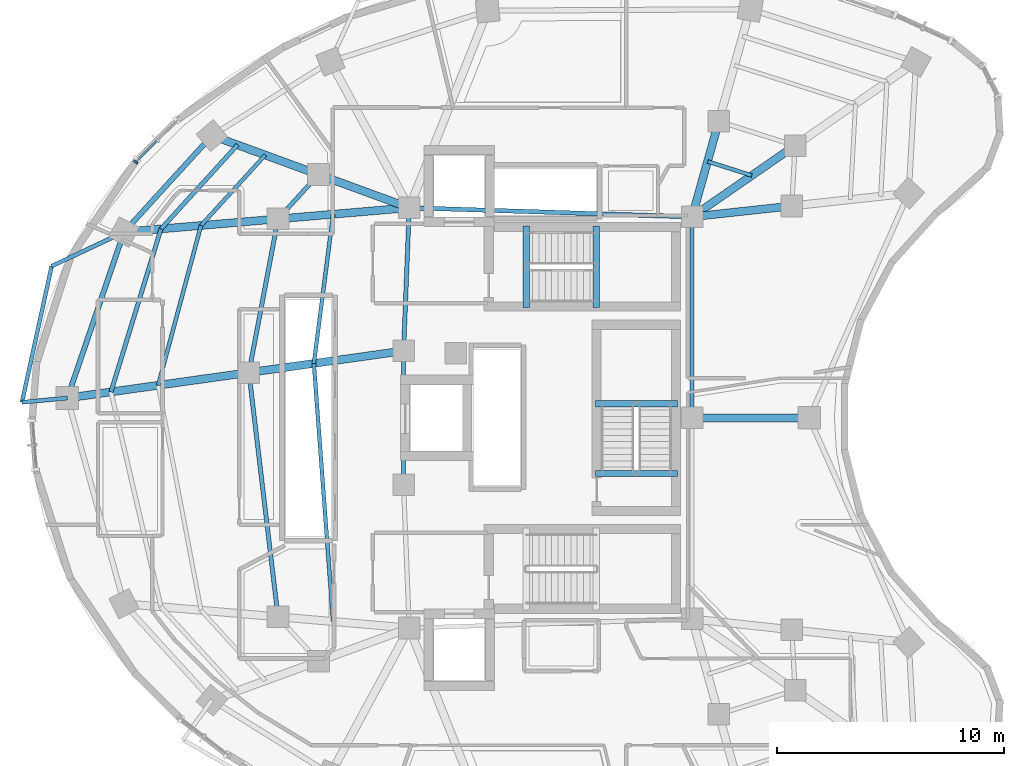
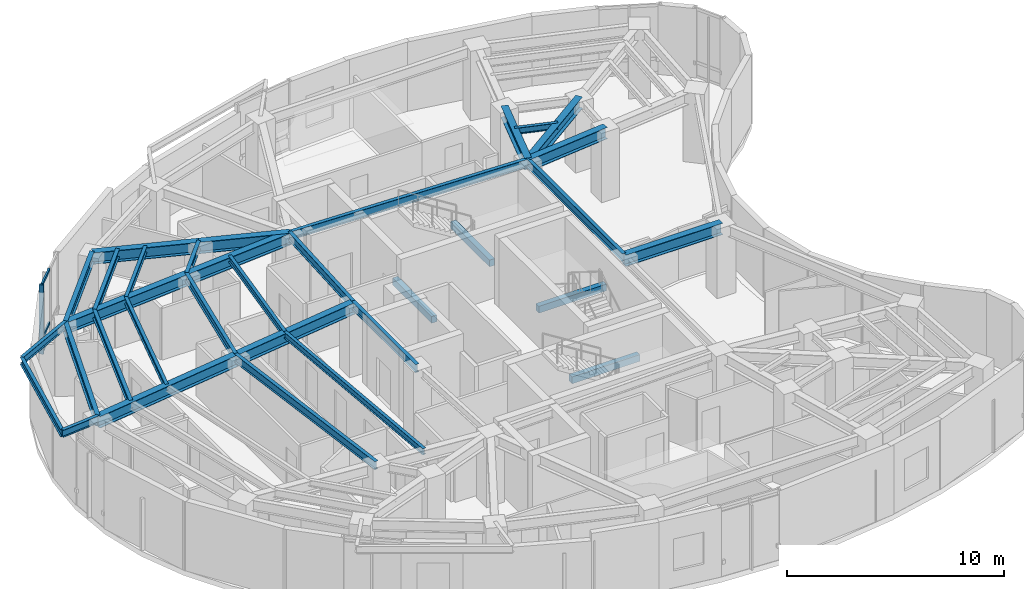
# One storey, part 3 of 13: 33 beams, 4 members, 1 element without a shape of its own.
"""IFC4 building model written with IfcOpenShell, lengths in metres."""

from ifc_helpers import new_model, si_unit, direction, frame, origin, origin_2d, place, context, subcontext, project, spatial, rectangle, i_section, extrude, material, layer, layer_set, material_profile, profile_set, type_object, element, aggregate, save


model = new_model("IFC4")

# Units and contexts
model_context = context("Model", 3, precision=1e-05, world=origin(), true_north=direction((0.0, 1.0)))
body_context = subcontext(model_context, "Body", "Model", "MODEL_VIEW")
ifc_project = project(units=[si_unit("LENGTHUNIT", "METRE"), si_unit("AREAUNIT", "SQUARE_METRE"), si_unit("VOLUMEUNIT", "CUBIC_METRE"), si_unit("PLANEANGLEUNIT", "RADIAN"), si_unit("MASSUNIT", "GRAM", prefix="KILO")], contexts=[model_context])

# Site, building, storey
site_placement = place(None, origin())
site = spatial("IfcSite", under=ifc_project, at=site_placement, CompositionType="ELEMENT")
building_placement = place(site_placement, origin())
building = spatial("IfcBuilding", under=site, at=building_placement, Name="Korentha Bioscience Tower", CompositionType="ELEMENT")
storey_placement = place(building_placement, frame((0.0, 0.0, 200.39990234375)))
storey = spatial("IfcBuildingStorey", under=building, at=storey_placement, Name="L46", CompositionType="ELEMENT", Elevation=200.39990234375)

# Beams
ifc_material_1 = material(Name="Concrete C50", Category="concrete")
ifc_material_profile_1 = material_profile(ifc_material_1, rectangle(XDim=0.280029296875, YDim=0.3798828125, at=origin_2d()), Name="Concrete C50")
ifc_profile_set_1 = profile_set([ifc_material_profile_1], Name="Concrete C50 (ST-HB380)")
beam_type_1 = type_object("IfcBeamType", Name="Concrete Stair Header Beam RC 280x380", PredefinedType="BEAM", material=ifc_profile_set_1)
for number, where, z_axis, x_axis, name in (
    (1, (30.25, 31.85009765625, -0.18994140625), (0.0, 1.0, 0.0), (-1.0, 0.0, 0.0), "L46 ST-1 Concrete Stair Header Beam"),
    (2, (33.330078125, 31.85009765625, 1.91015625), (0.0, 1.0, 0.0), (-1.0, 0.0, 0.0), "L46 ST-1 Half-Landing Header Beam 1"),
    (3, (36.89990234375, 24.550048828125, -0.18994140625), (-1.0, 0.0, 0.0), (0.0, -1.0, 0.0), "L46 ST-3 Concrete Stair Header Beam"),
    (4, (36.89990234375, 27.6298828125, 1.91015625), (-1.0, 0.0, 0.0), (0.0, -1.0, 0.0), "L46 ST-3 Half-Landing Header Beam 1"),
):
    element("IfcBeam", number, at=place(storey_placement, frame(where, z_axis=z_axis, x_axis=x_axis)), inside=storey, type_object=beam_type_1, Name=name, PredefinedType="BEAM", context=body_context, shape_type="SweptSolid", body=[
        extrude(rectangle(XDim=0.280029296875, YDim=0.3798828125, at=origin_2d()), origin(), (0.0, 0.0, 1.0), 3.599853515625),
    ])
ifc_material_2 = material(Name="Steel S355", Category="steel")
ifc_material_profile_2 = material_profile(ifc_material_2, i_section(OverallWidth=0.18994140625, OverallDepth=0.45703125, WebThickness=0.009033203125, FlangeThickness=0.014404296875, at=origin_2d()), Name="Steel S355")
ifc_profile_set_2 = profile_set([ifc_material_profile_2], Name="Steel S355 (MB-460)")
beam_type_2 = type_object("IfcBeamType", Name="Mid-Ring Tie Girder W460x74", PredefinedType="BEAM", material=ifc_profile_set_2)
beam_1_placement = place(storey_placement, frame((21.105224609375, 37.711669921875, 3.671630859375), z_axis=(-0.673513544519, -0.739174881438, 0.0), x_axis=(0.739174881438, -0.673513544519, 0.0)))
element("IfcBeam", 5, at=beam_1_placement, inside=storey, type_object=beam_type_2, Name="L46 Mid-Ring Tie Girder 05", PredefinedType="BEAM", context=body_context, shape_type="SweptSolid", body=[
    extrude(i_section(OverallWidth=0.18994140625, OverallDepth=0.45703125, WebThickness=0.009033203125, FlangeThickness=0.014404296875, at=origin_2d()), origin(), (0.0, 0.0, 1.0), 2.6435546875),
])
beam_2_placement = place(storey_placement, frame((19.32470703125, 35.757568359375, 3.671630859375), z_axis=(-0.18622207702, -0.982507678357, 0.0), x_axis=(0.982507678357, -0.18622207702, 0.0)))
element("IfcBeam", 6, at=beam_2_placement, inside=storey, type_object=beam_type_2, Name="L46 Mid-Ring Tie Girder 06", PredefinedType="BEAM", context=body_context, shape_type="SweptSolid", body=[
    extrude(i_section(OverallWidth=0.18994140625, OverallDepth=0.45703125, WebThickness=0.009033203125, FlangeThickness=0.014404296875, at=origin_2d()), origin(), (0.0, 0.0, 1.0), 6.8828125),
])
beam_3_placement = place(storey_placement, frame((18.04296875, 28.9951171875, 3.671630859375), z_axis=(0.118363737679, -0.992970304492, 0.0), x_axis=(0.992970304492, 0.118363737679, 0.0)))
element("IfcBeam", 7, at=beam_3_placement, inside=storey, type_object=beam_type_2, Name="L46 Mid-Ring Tie Girder 07", PredefinedType="BEAM", context=body_context, shape_type="SweptSolid", body=[
    extrude(i_section(OverallWidth=0.18994140625, OverallDepth=0.45703125, WebThickness=0.009033203125, FlangeThickness=0.014404296875, at=origin_2d()), origin(), (0.0, 0.0, 1.0), 10.828857421875),
])
beam_4_placement = place(storey_placement, frame((37.550048828125, 35.85009765625, 3.671630859375), z_axis=(-0.999484526071, 0.032104238723, 0.0), x_axis=(-0.032104238723, -0.999484526071, 0.0)))
element("IfcBeam", 8, at=beam_4_placement, inside=storey, type_object=beam_type_2, Name="L46 Core Ring Tie Girder 01", PredefinedType="BEAM", context=body_context, shape_type="SweptSolid", body=[
    extrude(i_section(OverallWidth=0.18994140625, OverallDepth=0.45703125, WebThickness=0.009033203125, FlangeThickness=0.014404296875, at=origin_2d()), origin(), (0.0, 0.0, 1.0), 12.456298828125),
])
beam_5_placement = place(storey_placement, frame((25.10009765625, 36.25, 3.671630859375), z_axis=(-0.039651025576, -0.999213588864, 0.0), x_axis=(0.999213588864, -0.039651025576, 0.0)))
element("IfcBeam", 9, at=beam_5_placement, inside=storey, type_object=beam_type_2, Name="L46 Core Ring Tie Girder 02", PredefinedType="BEAM", context=body_context, shape_type="SweptSolid", body=[
    extrude(i_section(OverallWidth=0.18994140625, OverallDepth=0.45703125, WebThickness=0.009033203125, FlangeThickness=0.014404296875, at=origin_2d()), origin(), (0.0, 0.0, 1.0), 6.304931640625),
])
beam_6_placement = place(storey_placement, frame((24.85009765625, 29.949951171875, 3.671630859375), z_axis=(0.0, -1.0, 0.0), x_axis=(1.0, 0.0, 0.0)))
element("IfcBeam", 10, at=beam_6_placement, inside=storey, type_object=beam_type_2, Name="L46 Core Ring Tie Girder 03", PredefinedType="BEAM", context=body_context, shape_type="SweptSolid", body=[
    extrude(i_section(OverallWidth=0.18994140625, OverallDepth=0.45703125, WebThickness=0.009033203125, FlangeThickness=0.014404296875, at=origin_2d()), origin(), (0.0, 0.0, 1.0), 5.89990234375),
])
beam_7_placement = place(storey_placement, frame((37.550048828125, 27.0, 3.671630859375), z_axis=(0.0, 1.0, 0.0), x_axis=(-1.0, 0.0, 0.0)))
element("IfcBeam", 11, at=beam_7_placement, inside=storey, type_object=beam_type_2, Name="L46 Core Ring Tie Girder 07", PredefinedType="BEAM", context=body_context, shape_type="SweptSolid", body=[
    extrude(i_section(OverallWidth=0.18994140625, OverallDepth=0.45703125, WebThickness=0.009033203125, FlangeThickness=0.014404296875, at=origin_2d()), origin(), (0.0, 0.0, 1.0), 8.85009765625),
])

# Curtain wall, member
ifc_material_3 = material(Name="Thermally Broken Aluminium Frame", Category="aluminium")
ifc_layer = layer(ifc_material_3, 0.219970703125, Name="Thermally Broken Aluminium Frame")
ifc_layer_set = layer_set([ifc_layer], Name="Thermally Broken Aluminium Frame (CW-T2)")
curtain_wall_type = type_object("IfcCurtainWallType", Name="Solar-Screened Lab Unitised Curtain Wall CW-T2", PredefinedType="USERDEFINED", material=ifc_layer_set)
curtain_wall_placement = place(storey_placement, origin())
curtain_wall = element("IfcCurtainWall", 12, at=curtain_wall_placement, inside=storey, type_object=curtain_wall_type, Name="L46 Curtain Wall 13", ObjectType="UNITISED", PredefinedType="USERDEFINED")
ifc_material_4 = material(Name="Anodised Aluminium 6063-T6", Category="aluminium")
ifc_material_profile_3 = material_profile(ifc_material_4, rectangle(XDim=0.090087890625, YDim=0.199951171875, at=origin_2d()), Name="Anodised Aluminium 6063-T6")
ifc_profile_set_3 = profile_set([ifc_material_profile_3], Name="Anodised Aluminium 6063-T6 (CW-MUL)")
member_type_1 = type_object("IfcMemberType", Name="Mullion RECT 90x200", PredefinedType="MULLION", material=ifc_profile_set_3)
member_1_placement = place(storey_placement, frame((13.057861328125, 38.262451171875, 0.0), z_axis=(0.0, 0.0, 1.0), x_axis=(-0.711177694756, -0.703012294688, 0.0)))
member_1 = element("IfcMember", 13, at=member_1_placement, type_object=member_type_1, Name="CW-L46-13 Mullion 3", PredefinedType="MULLION", context=body_context, shape_type="SweptSolid", body=[
    extrude(rectangle(XDim=0.090087890625, YDim=0.199951171875, at=origin_2d()), origin(), (0.0, 0.0, 1.0), 3.900146484375),
])

# Beams
ifc_material_profile_4 = material_profile(ifc_material_2, i_section(OverallWidth=0.22802734375, OverallDepth=0.60791015625, WebThickness=0.01123046875, FlangeThickness=0.017333984375, at=origin_2d()), Name="Steel S355")
ifc_profile_set_4 = profile_set([ifc_material_profile_4], Name="Steel S355 (SB-610)")
beam_type_3 = type_object("IfcBeamType", Name="Perimeter Ring Spandrel Girder W610x113", PredefinedType="SPANDREL", material=ifc_profile_set_4)
beam_8_placement = place(storey_placement, frame((16.415771484375, 39.427490234375, 3.59619140625), z_axis=(-0.673503408544, -0.739184116902, 0.0), x_axis=(0.739184116902, -0.673503408544, 0.0)))
element("IfcBeam", 14, at=beam_8_placement, inside=storey, type_object=beam_type_3, Name="L46 Perimeter Spandrel Girder 05", PredefinedType="SPANDREL", context=body_context, shape_type="SweptSolid", body=[
    extrude(i_section(OverallWidth=0.22802734375, OverallDepth=0.60791015625, WebThickness=0.01123046875, FlangeThickness=0.017333984375, at=origin_2d()), origin(), (0.0, 0.0, 1.0), 5.74658203125),
])
beam_9_placement = place(storey_placement, frame((12.54541015625, 35.1796875, 3.59619140625), z_axis=(-0.322984950564, -0.94640410064, 0.0), x_axis=(0.94640410064, -0.322984950564, 0.0)))
element("IfcBeam", 15, at=beam_9_placement, inside=storey, type_object=beam_type_3, Name="L46 Perimeter Spandrel Girder 06", PredefinedType="SPANDREL", context=body_context, shape_type="SweptSolid", body=[
    extrude(i_section(OverallWidth=0.22802734375, OverallDepth=0.60791015625, WebThickness=0.01123046875, FlangeThickness=0.017333984375, at=origin_2d()), origin(), (0.0, 0.0, 1.0), 7.71923828125),
])
ifc_material_profile_5 = material_profile(ifc_material_2, i_section(OverallWidth=0.18994140625, OverallDepth=0.45703125, WebThickness=0.009033203125, FlangeThickness=0.014404296875, at=origin_2d()), Name="Steel S355")
ifc_profile_set_5 = profile_set([ifc_material_profile_5], Name="Steel S355 (RB-460)")
beam_type_4 = type_object("IfcBeamType", Name="Radial Laboratory Beam W460x74", PredefinedType="BEAM", material=ifc_profile_set_5)
beam_10_placement = place(storey_placement, frame((17.541259765625, 39.015869140625, 3.671630859375), z_axis=(-0.67349592261, -0.739190937599, 0.0), x_axis=(0.739190937599, -0.67349592261, 0.0)))
element("IfcBeam", 16, at=beam_10_placement, inside=storey, type_object=beam_type_4, Name="L46 Secondary Floor Beam JSTO-05", PredefinedType="BEAM", context=body_context, shape_type="SweptSolid", body=[
    extrude(i_section(OverallWidth=0.18994140625, OverallDepth=0.45703125, WebThickness=0.009033203125, FlangeThickness=0.014404296875, at=origin_2d()), origin(), (0.0, 0.0, 1.0), 5.002197265625),
])
beam_11_placement = place(storey_placement, frame((14.17236328125, 35.318359375, 3.671630859375), z_axis=(-0.293438905434, -0.955977828601, 0.0), x_axis=(0.955977828601, -0.293438905434, 0.0)))
element("IfcBeam", 17, at=beam_11_placement, inside=storey, type_object=beam_type_4, Name="L46 Secondary Floor Beam JSTO-06", PredefinedType="BEAM", context=body_context, shape_type="SweptSolid", body=[
    extrude(i_section(OverallWidth=0.18994140625, OverallDepth=0.45703125, WebThickness=0.009033203125, FlangeThickness=0.014404296875, at=origin_2d()), origin(), (0.0, 0.0, 1.0), 7.50537109375),
])
ifc_material_profile_6 = material_profile(ifc_material_2, i_section(OverallWidth=0.35009765625, OverallDepth=0.64990234375, WebThickness=0.01611328125, FlangeThickness=0.02490234375, at=origin_2d()), Name="Steel S355")
ifc_profile_set_6 = profile_set([ifc_material_profile_6], Name="Steel S355 (RB-650)")
beam_type_5 = type_object("IfcBeamType", Name="Radial Laboratory Girder CVS 650x208", PredefinedType="BEAM", material=ifc_profile_set_6)
beam_12_placement = place(storey_placement, frame((37.550048828125, 35.85009765625, 3.5751953125), z_axis=(0.822493403442, 0.568774648956, 0.0), x_axis=(-0.568774648956, 0.822493403442, 0.0)))
element("IfcBeam", 18, at=beam_12_placement, inside=storey, type_object=beam_type_5, Name="L46 Inner Radial Girder 01", PredefinedType="BEAM", context=body_context, shape_type="SweptSolid", body=[
    extrude(i_section(OverallWidth=0.35009765625, OverallDepth=0.64990234375, WebThickness=0.01611328125, FlangeThickness=0.02490234375, at=origin_2d()), origin(), (0.0, 0.0, 1.0), 5.5126953125),
])
beam_13_placement = place(storey_placement, frame((37.550048828125, 35.85009765625, 3.5751953125), z_axis=(0.269463926865, 0.963010483909, 0.0), x_axis=(-0.963010483909, 0.269463926865, 0.0)))
element("IfcBeam", 19, at=beam_13_placement, inside=storey, type_object=beam_type_5, Name="L46 Inner Radial Girder 02", PredefinedType="BEAM", context=body_context, shape_type="SweptSolid", body=[
    extrude(i_section(OverallWidth=0.35009765625, OverallDepth=0.64990234375, WebThickness=0.01611328125, FlangeThickness=0.02490234375, at=origin_2d()), origin(), (0.0, 0.0, 1.0), 4.3642578125),
])
beam_14_placement = place(storey_placement, frame((25.10009765625, 36.25, 3.5751953125), z_axis=(-0.939112914942, 0.343608691668, 0.0), x_axis=(-0.343608691668, -0.939112914942, 0.0)))
element("IfcBeam", 20, at=beam_14_placement, inside=storey, type_object=beam_type_5, Name="L46 Inner Radial Girder 05", PredefinedType="BEAM", context=body_context, shape_type="SweptSolid", body=[
    extrude(i_section(OverallWidth=0.35009765625, OverallDepth=0.64990234375, WebThickness=0.01611328125, FlangeThickness=0.02490234375, at=origin_2d()), origin(), (0.0, 0.0, 1.0), 4.25390625),
])
beam_15_placement = place(storey_placement, frame((21.105224609375, 37.711669921875, 3.5751953125), z_axis=(-0.939112078038, 0.343610978991, 0.0), x_axis=(-0.343610978991, -0.939112078038, 0.0)))
element("IfcBeam", 21, at=beam_15_placement, inside=storey, type_object=beam_type_5, Name="L46 Outer Radial Girder 05", PredefinedType="BEAM", context=body_context, shape_type="SweptSolid", body=[
    extrude(i_section(OverallWidth=0.35009765625, OverallDepth=0.64990234375, WebThickness=0.01611328125, FlangeThickness=0.02490234375, at=origin_2d()), origin(), (0.0, 0.0, 1.0), 4.993408203125),
])
beam_16_placement = place(storey_placement, frame((25.10009765625, 36.25, 3.5751953125), z_axis=(-0.996384743884, -0.084955530454, 0.0), x_axis=(0.084955530454, -0.996384743884, 0.0)))
element("IfcBeam", 22, at=beam_16_placement, inside=storey, type_object=beam_type_5, Name="L46 Inner Radial Girder 06", PredefinedType="BEAM", context=body_context, shape_type="SweptSolid", body=[
    extrude(i_section(OverallWidth=0.35009765625, OverallDepth=0.64990234375, WebThickness=0.01611328125, FlangeThickness=0.02490234375, at=origin_2d()), origin(), (0.0, 0.0, 1.0), 5.79638671875),
])
beam_17_placement = place(storey_placement, frame((19.32470703125, 35.757568359375, 3.5751953125), z_axis=(-0.996386580267, -0.084933990042, 0.0), x_axis=(0.084933990042, -0.996386580267, 0.0)))
element("IfcBeam", 23, at=beam_17_placement, inside=storey, type_object=beam_type_5, Name="L46 Outer Radial Girder 06", PredefinedType="BEAM", context=body_context, shape_type="SweptSolid", body=[
    extrude(i_section(OverallWidth=0.35009765625, OverallDepth=0.64990234375, WebThickness=0.01611328125, FlangeThickness=0.02490234375, at=origin_2d()), origin(), (0.0, 0.0, 1.0), 6.803955078125),
])
beam_18_placement = place(storey_placement, frame((24.85009765625, 29.949951171875, 3.5751953125), z_axis=(-0.990305037789, -0.138909798536, 0.0), x_axis=(0.138909798536, -0.990305037789, 0.0)))
element("IfcBeam", 24, at=beam_18_placement, inside=storey, type_object=beam_type_5, Name="L46 Inner Radial Girder 07", PredefinedType="BEAM", context=body_context, shape_type="SweptSolid", body=[
    extrude(i_section(OverallWidth=0.35009765625, OverallDepth=0.64990234375, WebThickness=0.01611328125, FlangeThickness=0.02490234375, at=origin_2d()), origin(), (0.0, 0.0, 1.0), 6.873779296875),
])
beam_19_placement = place(storey_placement, frame((18.04296875, 28.9951171875, 3.5751953125), z_axis=(-0.990305152436, -0.138908981205, 0.0), x_axis=(0.138908981205, -0.990305152436, 0.0)))
element("IfcBeam", 25, at=beam_19_placement, inside=storey, type_object=beam_type_5, Name="L46 Outer Radial Girder 07", PredefinedType="BEAM", context=body_context, shape_type="SweptSolid", body=[
    extrude(i_section(OverallWidth=0.35009765625, OverallDepth=0.64990234375, WebThickness=0.01611328125, FlangeThickness=0.02490234375, at=origin_2d()), origin(), (0.0, 0.0, 1.0), 8.06884765625),
])
beam_20_placement = place(storey_placement, frame((37.550048828125, 27.0, 3.5751953125), z_axis=(1.0, 0.0, 0.0), x_axis=(0.0, 1.0, 0.0)))
element("IfcBeam", 26, at=beam_20_placement, inside=storey, type_object=beam_type_5, Name="L46 Radial Girder 15", PredefinedType="BEAM", context=body_context, shape_type="SweptSolid", body=[
    extrude(i_section(OverallWidth=0.35009765625, OverallDepth=0.64990234375, WebThickness=0.01611328125, FlangeThickness=0.02490234375, at=origin_2d()), origin(), (0.0, 0.0, 1.0), 5.158935546875),
])
beam_21_placement = place(storey_placement, frame((37.550048828125, 35.85009765625, 3.5751953125), z_axis=(0.99412286891, 0.108257662593, 0.0), x_axis=(-0.108257662593, 0.99412286891, 0.0)))
element("IfcBeam", 27, at=beam_21_placement, inside=storey, type_object=beam_type_5, Name="L46 Inner Radial Girder 16", PredefinedType="BEAM", context=body_context, shape_type="SweptSolid", body=[
    extrude(i_section(OverallWidth=0.35009765625, OverallDepth=0.64990234375, WebThickness=0.01611328125, FlangeThickness=0.02490234375, at=origin_2d()), origin(), (0.0, 0.0, 1.0), 4.413330078125),
])
ifc_material_profile_7 = material_profile(ifc_material_2, i_section(OverallWidth=0.1708984375, OverallDepth=0.35498046875, WebThickness=0.007080078125, FlangeThickness=0.01171875, at=origin_2d()), Name="Steel S355")
ifc_profile_set_7 = profile_set([ifc_material_profile_7], Name="Steel S355 (JB-360)")
beam_type_6 = type_object("IfcBeamType", Name="Secondary Laboratory Joist W360x51", PredefinedType="JOIST", material=ifc_profile_set_7)
beam_22_placement = place(storey_placement, frame((40.1796875, 37.668701171875, 3.72265625), z_axis=(-0.953033984423, 0.30286337602, 0.0), x_axis=(-0.30286337602, -0.953033984423, 0.0)))
element("IfcBeam", 28, at=beam_22_placement, inside=storey, type_object=beam_type_6, Name="L46 Inner Bay Joist 01", PredefinedType="JOIST", context=body_context, shape_type="SweptSolid", body=[
    extrude(i_section(OverallWidth=0.1708984375, OverallDepth=0.35498046875, WebThickness=0.007080078125, FlangeThickness=0.01171875, at=origin_2d()), origin(), (0.0, 0.0, 1.0), 2.04345703125),
])
beam_23_placement = place(storey_placement, frame((18.760498046875, 38.569580078125, 3.72265625), z_axis=(-0.673492116079, -0.739194405809, 0.0), x_axis=(0.739194405809, -0.673492116079, 0.0)))
element("IfcBeam", 29, at=beam_23_placement, inside=storey, type_object=beam_type_6, Name="L46 Secondary Floor Beam JST-05", PredefinedType="JOIST", context=body_context, shape_type="SweptSolid", body=[
    extrude(i_section(OverallWidth=0.1708984375, OverallDepth=0.35498046875, WebThickness=0.007080078125, FlangeThickness=0.01171875, at=origin_2d()), origin(), (0.0, 0.0, 1.0), 4.1953125),
])
beam_24_placement = place(storey_placement, frame((15.93505859375, 35.468505859375, 3.72265625), z_axis=(-0.259166702541, -0.965832604696, 0.0), x_axis=(0.965832604696, -0.259166702541, 0.0)))
element("IfcBeam", 30, at=beam_24_placement, inside=storey, type_object=beam_type_6, Name="L46 Secondary Floor Beam JST-06", PredefinedType="JOIST", context=body_context, shape_type="SweptSolid", body=[
    extrude(i_section(OverallWidth=0.1708984375, OverallDepth=0.35498046875, WebThickness=0.007080078125, FlangeThickness=0.01171875, at=origin_2d()), origin(), (0.0, 0.0, 1.0), 7.28271484375),
])
beam_25_placement = place(storey_placement, frame((21.75048828125, 35.96435546875, 3.72265625), z_axis=(-0.12813977135, -0.99175611871, 0.0), x_axis=(0.99175611871, -0.12813977135, 0.0)))
element("IfcBeam", 31, at=beam_25_placement, inside=storey, type_object=beam_type_6, Name="L46 Inner Bay Joist 06", PredefinedType="JOIST", context=body_context, shape_type="SweptSolid", body=[
    extrude(i_section(OverallWidth=0.1708984375, OverallDepth=0.35498046875, WebThickness=0.007080078125, FlangeThickness=0.01171875, at=origin_2d()), origin(), (0.0, 0.0, 1.0), 6.622802734375),
])
beam_26_placement = place(storey_placement, frame((20.90185546875, 29.396240234375, 3.72265625), z_axis=(0.074492130035, -0.997221601532, 0.0), x_axis=(0.997221601532, 0.074492130035, 0.0)))
element("IfcBeam", 32, at=beam_26_placement, inside=storey, type_object=beam_type_6, Name="L46 Inner Bay Joist 07", PredefinedType="JOIST", context=body_context, shape_type="SweptSolid", body=[
    extrude(i_section(OverallWidth=0.1708984375, OverallDepth=0.35498046875, WebThickness=0.007080078125, FlangeThickness=0.01171875, at=origin_2d()), origin(), (0.0, 0.0, 1.0), 11.392333984375),
])
ifc_material_profile_8 = material_profile(ifc_material_2, i_section(OverallWidth=0.177978515625, OverallDepth=0.406982421875, WebThickness=0.0078125, FlangeThickness=0.0126953125, at=origin_2d()), Name="Steel S355")
ifc_profile_set_8 = profile_set([ifc_material_profile_8], Name="Steel S355 (CB-410)")
beam_type_7 = type_object("IfcBeamType", Name="Sun-Ledge Cantilever Beam W410x60", PredefinedType="BEAM", material=ifc_profile_set_8)
beam_27_placement = place(storey_placement, frame((12.54541015625, 35.1796875, 3.698486328125), z_axis=(-0.904601677452, -0.426257909194, 0.0), x_axis=(0.426257909194, -0.904601677452, 0.0)))
element("IfcBeam", 33, at=beam_27_placement, inside=storey, type_object=beam_type_7, Name="L46 Balcony Cantilever Bracket A-L47-02", PredefinedType="BEAM", context=body_context, shape_type="SweptSolid", body=[
    extrude(i_section(OverallWidth=0.177978515625, OverallDepth=0.406982421875, WebThickness=0.0078125, FlangeThickness=0.0126953125, at=origin_2d()), origin(), (0.0, 0.0, 1.0), 3.520263671875),
])
beam_28_placement = place(storey_placement, frame((10.05224609375, 27.874267578125, 3.698486328125), z_axis=(-0.99561867449, -0.093506443659, 0.0), x_axis=(0.093506443659, -0.99561867449, 0.0)))
element("IfcBeam", 34, at=beam_28_placement, inside=storey, type_object=beam_type_7, Name="L46 Balcony Cantilever Bracket B-L47-02", PredefinedType="BEAM", context=body_context, shape_type="SweptSolid", body=[
    extrude(i_section(OverallWidth=0.177978515625, OverallDepth=0.406982421875, WebThickness=0.0078125, FlangeThickness=0.0126953125, at=origin_2d()), origin(), (0.0, 0.0, 1.0), 2.0078125),
])
beam_29_placement = place(storey_placement, frame((9.361083984375, 33.67919921875, 3.698486328125), z_axis=(-0.213224411699, -0.97700324987, 0.0), x_axis=(0.97700324987, -0.213224411699, 0.0)))
element("IfcBeam", 35, at=beam_29_placement, inside=storey, type_object=beam_type_7, Name="L46 Balcony Edge Trimmer Beam L47-02", PredefinedType="BEAM", context=body_context, shape_type="SweptSolid", body=[
    extrude(i_section(OverallWidth=0.177978515625, OverallDepth=0.406982421875, WebThickness=0.0078125, FlangeThickness=0.0126953125, at=origin_2d()), origin(), (0.0, 0.0, 1.0), 6.1337890625),
])

# Member
ifc_material_profile_9 = material_profile(ifc_material_4, rectangle(XDim=0.090087890625, YDim=0.159912109375, at=origin_2d()), Name="Anodised Aluminium 6063-T6")
ifc_profile_set_9 = profile_set([ifc_material_profile_9], Name="Anodised Aluminium 6063-T6 (CW-TRN)")
member_type_2 = type_object("IfcMemberType", Name="Transom RECT 90x160", PredefinedType="USERDEFINED", material=ifc_profile_set_9)
member_2_placement = place(storey_placement, frame((13.98681640625, 39.180908203125, 0.045166015625), z_axis=(-0.711159974777, -0.70303022003, 0.0), x_axis=(0.70303022003, -0.711159974777, 0.0)))
member_2 = element("IfcMember", 36, at=member_2_placement, type_object=member_type_2, Name="CW-L46-13 Bay 2 Transom 1", ObjectType="TRANSOM", PredefinedType="USERDEFINED", context=body_context, shape_type="SweptSolid", body=[
    extrude(rectangle(XDim=0.090087890625, YDim=0.159912109375, at=origin_2d()), origin(), (0.0, 0.0, 1.0), 1.26123046875),
])

member_3_placement = place(storey_placement, frame((13.98681640625, 39.180908203125, 0.85009765625), z_axis=(-0.711159974777, -0.70303022003, 0.0), x_axis=(0.70303022003, -0.711159974777, 0.0)))
member_3 = element("IfcMember", 37, at=member_3_placement, type_object=member_type_2, Name="CW-L46-13 Bay 2 Transom 2", ObjectType="TRANSOM", PredefinedType="USERDEFINED", context=body_context, shape_type="SweptSolid", body=[
    extrude(rectangle(XDim=0.090087890625, YDim=0.159912109375, at=origin_2d()), origin(), (0.0, 0.0, 1.0), 1.26123046875),
])

member_4_placement = place(storey_placement, frame((13.98681640625, 39.180908203125, 3.85498046875), z_axis=(-0.711159974777, -0.70303022003, 0.0), x_axis=(0.70303022003, -0.711159974777, 0.0)))
member_4 = element("IfcMember", 38, at=member_4_placement, type_object=member_type_2, Name="CW-L46-13 Bay 2 Transom 3", ObjectType="TRANSOM", PredefinedType="USERDEFINED", context=body_context, shape_type="SweptSolid", body=[
    extrude(rectangle(XDim=0.090087890625, YDim=0.159912109375, at=origin_2d()), origin(), (0.0, 0.0, 1.0), 1.26123046875),
])

aggregate(curtain_wall, [member_1, member_2, member_3, member_4])

save(model, "model.ifc")
